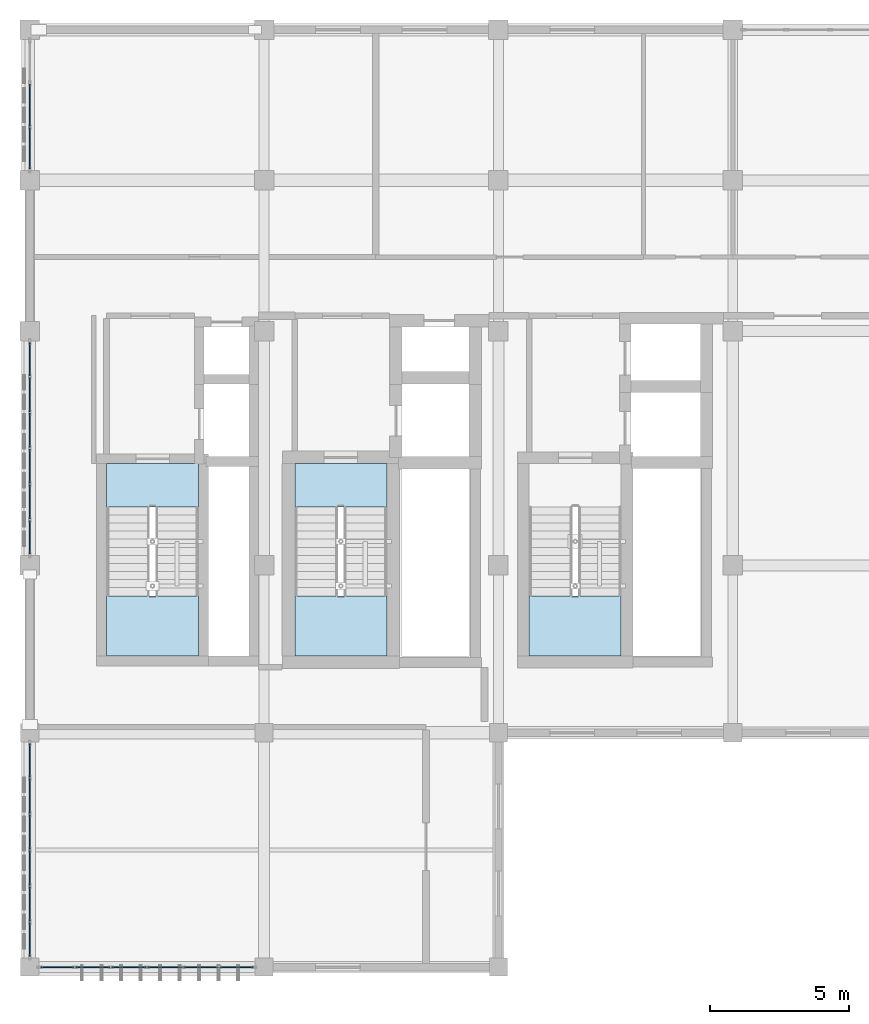
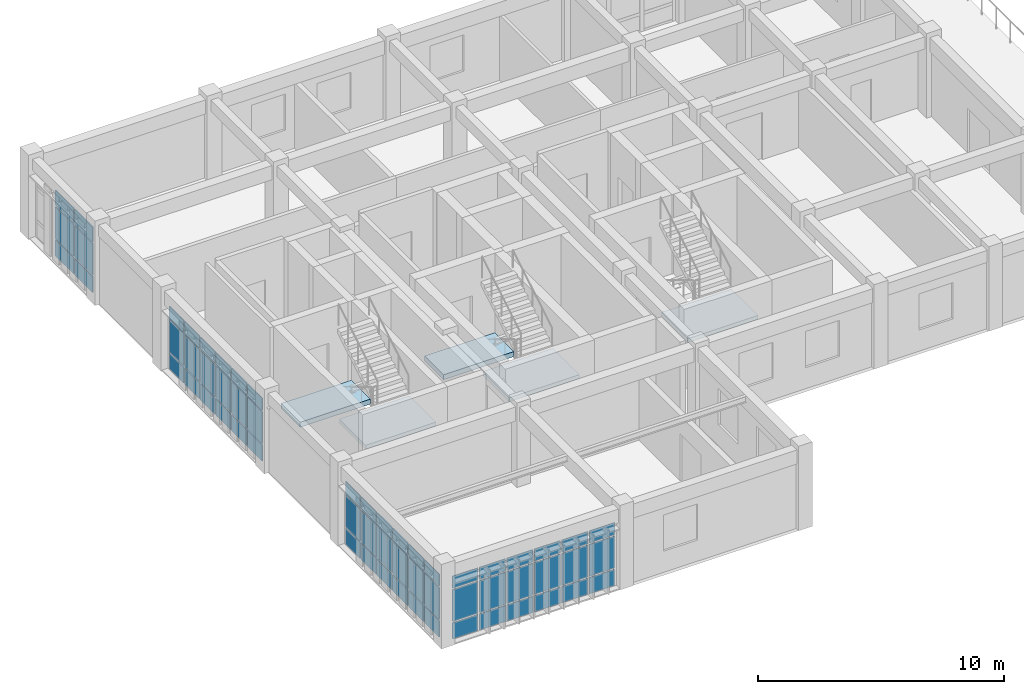
# One storey, part 17 of 23: 60 plates, 5 slabs, 7 elements without a shape of their own.
"""IFC4 building model written with IfcOpenShell, lengths in metres."""

from ifc_helpers import new_model, si_unit, direction, frame, origin, origin_2d, place, context, subcontext, project, spatial, polyline, rectangle, outline, extrude, material, layer, layer_set, type_object, element, aggregate, save


model = new_model("IFC4")

# Units and contexts
model_context = context("Model", 3, precision=1e-05, world=origin(), true_north=direction((0.0, 1.0)))
body_context = subcontext(model_context, "Body", "Model", "MODEL_VIEW")
ifc_project = project(units=[si_unit("LENGTHUNIT", "METRE"), si_unit("AREAUNIT", "SQUARE_METRE"), si_unit("VOLUMEUNIT", "CUBIC_METRE"), si_unit("PLANEANGLEUNIT", "RADIAN"), si_unit("MASSUNIT", "GRAM", prefix="KILO")], contexts=[model_context])

# Site, building, storey
site_placement = place(None, origin())
site = spatial("IfcSite", under=ifc_project, at=site_placement, CompositionType="ELEMENT")
building_placement = place(site_placement, origin())
building = spatial("IfcBuilding", under=site, at=building_placement, Name="Krzemoval Escarpment Law Courts", CompositionType="ELEMENT")
storey_placement = place(building_placement, frame((0.0, 0.0, 33.60009765625)))
storey = spatial("IfcBuildingStorey", under=building, at=storey_placement, Name="L07", CompositionType="ELEMENT", Elevation=33.60009765625)

# Curtain wall, plates
ifc_material_1 = material(Name="Aluminium 6063-T6", Category="aluminium")
ifc_layer_1 = layer(ifc_material_1, 0.219970703125)
ifc_layer_set_1 = layer_set([ifc_layer_1], Name="Aluminium 6063-T6")
curtain_wall_type = type_object("IfcCurtainWallType", Name="CW-CHMB-4200", PredefinedType="USERDEFINED", material=ifc_layer_set_1)
curtain_wall_1_placement = place(storey_placement, origin())
curtain_wall_1 = element("IfcCurtainWall", 1, at=curtain_wall_1_placement, inside=storey, type_object=curtain_wall_type, Name="Unitised Curtain Wall FCW-L07-154", ObjectType="UNITISED_CURTAIN_WALL", PredefinedType="USERDEFINED")
ifc_material_2 = material(Name="Triple Glazing IGU", Category="glass")
ifc_layer_2 = layer(ifc_material_2, 0.0419921875)
ifc_layer_set_2 = layer_set([ifc_layer_2], Name="Triple Glazing IGU")
plate_type = type_object("IfcPlateType", Name="CWP-GLZ-42", PredefinedType="CURTAIN_PANEL", material=ifc_layer_set_2)
plate_1_placement = place(storey_placement, frame((133.412841796875, 85.199951171875, 0.06494140625), z_axis=(0.0, 0.0, 1.0), x_axis=(-1.0, 0.0, 0.0)))
plate_1 = element("IfcPlate", 2, at=plate_1_placement, type_object=plate_type, Name="FCW-L07-154 panel 1.1", PredefinedType="CURTAIN_PANEL", context=body_context, shape_type="SweptSolid", body=[
    extrude(rectangle(XDim=1.194091796875, YDim=0.0419921875, at=origin_2d()), origin(), (0.0, 0.0, 1.0), 0.802490234375),
])
plate_2_placement = place(storey_placement, frame((133.412841796875, 85.199951171875, 0.932373046875), z_axis=(0.0, 0.0, 1.0), x_axis=(-1.0, 0.0, 0.0)))
plate_2 = element("IfcPlate", 3, at=plate_2_placement, type_object=plate_type, Name="FCW-L07-154 panel 1.2", PredefinedType="CURTAIN_PANEL", context=body_context, shape_type="SweptSolid", body=[
    extrude(rectangle(XDim=1.194091796875, YDim=0.0419921875, at=origin_2d()), origin(), (0.0, 0.0, 1.0), 1.5849609375),
])
plate_3_placement = place(storey_placement, frame((133.412841796875, 85.199951171875, 2.582275390625), z_axis=(0.0, 0.0, 1.0), x_axis=(-1.0, 0.0, 0.0)))
plate_3 = element("IfcPlate", 4, at=plate_3_placement, type_object=plate_type, Name="FCW-L07-154 panel 1.3", PredefinedType="CURTAIN_PANEL", context=body_context, shape_type="SweptSolid", body=[
    extrude(rectangle(XDim=1.194091796875, YDim=0.0419921875, at=origin_2d()), origin(), (0.0, 0.0, 1.0), 0.6025390625),
])
plate_4_placement = place(storey_placement, frame((132.137451171875, 85.199951171875, 0.06494140625), z_axis=(0.0, 0.0, 1.0), x_axis=(-1.0, 0.0, 0.0)))
plate_4 = element("IfcPlate", 5, at=plate_4_placement, type_object=plate_type, Name="FCW-L07-154 panel 2.1", PredefinedType="CURTAIN_PANEL", context=body_context, shape_type="SweptSolid", body=[
    extrude(rectangle(XDim=1.2265625, YDim=0.0419921875, at=origin_2d()), origin(), (0.0, 0.0, 1.0), 0.802490234375),
])
plate_5_placement = place(storey_placement, frame((132.137451171875, 85.199951171875, 0.932373046875), z_axis=(0.0, 0.0, 1.0), x_axis=(-1.0, 0.0, 0.0)))
plate_5 = element("IfcPlate", 6, at=plate_5_placement, type_object=plate_type, Name="FCW-L07-154 panel 2.2", PredefinedType="CURTAIN_PANEL", context=body_context, shape_type="SweptSolid", body=[
    extrude(rectangle(XDim=1.2265625, YDim=0.0419921875, at=origin_2d()), origin(), (0.0, 0.0, 1.0), 1.5849609375),
])
plate_6_placement = place(storey_placement, frame((132.137451171875, 85.199951171875, 2.582275390625), z_axis=(0.0, 0.0, 1.0), x_axis=(-1.0, 0.0, 0.0)))
plate_6 = element("IfcPlate", 7, at=plate_6_placement, type_object=plate_type, Name="FCW-L07-154 panel 2.3", PredefinedType="CURTAIN_PANEL", context=body_context, shape_type="SweptSolid", body=[
    extrude(rectangle(XDim=1.2265625, YDim=0.0419921875, at=origin_2d()), origin(), (0.0, 0.0, 1.0), 0.6025390625),
])
plate_7_placement = place(storey_placement, frame((130.845947265625, 85.199951171875, 0.06494140625), z_axis=(0.0, 0.0, 1.0), x_axis=(-1.0, 0.0, 0.0)))
plate_7 = element("IfcPlate", 8, at=plate_7_placement, type_object=plate_type, Name="FCW-L07-154 panel 3.1", PredefinedType="CURTAIN_PANEL", context=body_context, shape_type="SweptSolid", body=[
    extrude(rectangle(XDim=1.2265625, YDim=0.0419921875, at=origin_2d()), origin(), (0.0, 0.0, 1.0), 0.802490234375),
])
plate_8_placement = place(storey_placement, frame((130.845947265625, 85.199951171875, 0.932373046875), z_axis=(0.0, 0.0, 1.0), x_axis=(-1.0, 0.0, 0.0)))
plate_8 = element("IfcPlate", 9, at=plate_8_placement, type_object=plate_type, Name="FCW-L07-154 panel 3.2", PredefinedType="CURTAIN_PANEL", context=body_context, shape_type="SweptSolid", body=[
    extrude(rectangle(XDim=1.2265625, YDim=0.0419921875, at=origin_2d()), origin(), (0.0, 0.0, 1.0), 1.5849609375),
])
plate_9_placement = place(storey_placement, frame((130.845947265625, 85.199951171875, 2.582275390625), z_axis=(0.0, 0.0, 1.0), x_axis=(-1.0, 0.0, 0.0)))
plate_9 = element("IfcPlate", 10, at=plate_9_placement, type_object=plate_type, Name="FCW-L07-154 panel 3.3", PredefinedType="CURTAIN_PANEL", context=body_context, shape_type="SweptSolid", body=[
    extrude(rectangle(XDim=1.2265625, YDim=0.0419921875, at=origin_2d()), origin(), (0.0, 0.0, 1.0), 0.6025390625),
])
plate_10_placement = place(storey_placement, frame((129.55419921875, 85.199951171875, 0.06494140625), z_axis=(0.0, 0.0, 1.0), x_axis=(-1.0, 0.0, 0.0)))
plate_10 = element("IfcPlate", 11, at=plate_10_placement, type_object=plate_type, Name="FCW-L07-154 panel 4.1", PredefinedType="CURTAIN_PANEL", context=body_context, shape_type="SweptSolid", body=[
    extrude(rectangle(XDim=1.2265625, YDim=0.0419921875, at=origin_2d()), origin(), (0.0, 0.0, 1.0), 0.802490234375),
])
plate_11_placement = place(storey_placement, frame((129.55419921875, 85.199951171875, 0.932373046875), z_axis=(0.0, 0.0, 1.0), x_axis=(-1.0, 0.0, 0.0)))
plate_11 = element("IfcPlate", 12, at=plate_11_placement, type_object=plate_type, Name="FCW-L07-154 panel 4.2", PredefinedType="CURTAIN_PANEL", context=body_context, shape_type="SweptSolid", body=[
    extrude(rectangle(XDim=1.2265625, YDim=0.0419921875, at=origin_2d()), origin(), (0.0, 0.0, 1.0), 1.5849609375),
])
plate_12_placement = place(storey_placement, frame((129.55419921875, 85.199951171875, 2.582275390625), z_axis=(0.0, 0.0, 1.0), x_axis=(-1.0, 0.0, 0.0)))
plate_12 = element("IfcPlate", 13, at=plate_12_placement, type_object=plate_type, Name="FCW-L07-154 panel 4.3", PredefinedType="CURTAIN_PANEL", context=body_context, shape_type="SweptSolid", body=[
    extrude(rectangle(XDim=1.2265625, YDim=0.0419921875, at=origin_2d()), origin(), (0.0, 0.0, 1.0), 0.6025390625),
])
plate_13_placement = place(storey_placement, frame((128.262451171875, 85.199951171875, 0.06494140625), z_axis=(0.0, 0.0, 1.0), x_axis=(-1.0, 0.0, 0.0)))
plate_13 = element("IfcPlate", 14, at=plate_13_placement, type_object=plate_type, Name="FCW-L07-154 panel 5.1", PredefinedType="CURTAIN_PANEL", context=body_context, shape_type="SweptSolid", body=[
    extrude(rectangle(XDim=1.2265625, YDim=0.0419921875, at=origin_2d()), origin(), (0.0, 0.0, 1.0), 0.802490234375),
])
plate_14_placement = place(storey_placement, frame((128.262451171875, 85.199951171875, 0.932373046875), z_axis=(0.0, 0.0, 1.0), x_axis=(-1.0, 0.0, 0.0)))
plate_14 = element("IfcPlate", 15, at=plate_14_placement, type_object=plate_type, Name="FCW-L07-154 panel 5.2", PredefinedType="CURTAIN_PANEL", context=body_context, shape_type="SweptSolid", body=[
    extrude(rectangle(XDim=1.2265625, YDim=0.0419921875, at=origin_2d()), origin(), (0.0, 0.0, 1.0), 1.5849609375),
])
plate_15_placement = place(storey_placement, frame((128.262451171875, 85.199951171875, 2.582275390625), z_axis=(0.0, 0.0, 1.0), x_axis=(-1.0, 0.0, 0.0)))
plate_15 = element("IfcPlate", 16, at=plate_15_placement, type_object=plate_type, Name="FCW-L07-154 panel 5.3", PredefinedType="CURTAIN_PANEL", context=body_context, shape_type="SweptSolid", body=[
    extrude(rectangle(XDim=1.2265625, YDim=0.0419921875, at=origin_2d()), origin(), (0.0, 0.0, 1.0), 0.6025390625),
])
plate_16_placement = place(storey_placement, frame((126.987060546875, 85.199951171875, 0.06494140625), z_axis=(0.0, 0.0, 1.0), x_axis=(-1.0, 0.0, 0.0)))
plate_16 = element("IfcPlate", 17, at=plate_16_placement, type_object=plate_type, Name="FCW-L07-154 panel 6.1", PredefinedType="CURTAIN_PANEL", context=body_context, shape_type="SweptSolid", body=[
    extrude(rectangle(XDim=1.194091796875, YDim=0.0419921875, at=origin_2d()), origin(), (0.0, 0.0, 1.0), 0.802490234375),
])
plate_17_placement = place(storey_placement, frame((126.987060546875, 85.199951171875, 0.932373046875), z_axis=(0.0, 0.0, 1.0), x_axis=(-1.0, 0.0, 0.0)))
plate_17 = element("IfcPlate", 18, at=plate_17_placement, type_object=plate_type, Name="FCW-L07-154 panel 6.2", PredefinedType="CURTAIN_PANEL", context=body_context, shape_type="SweptSolid", body=[
    extrude(rectangle(XDim=1.194091796875, YDim=0.0419921875, at=origin_2d()), origin(), (0.0, 0.0, 1.0), 1.5849609375),
])
plate_18_placement = place(storey_placement, frame((126.987060546875, 85.199951171875, 2.582275390625), z_axis=(0.0, 0.0, 1.0), x_axis=(-1.0, 0.0, 0.0)))
plate_18 = element("IfcPlate", 19, at=plate_18_placement, type_object=plate_type, Name="FCW-L07-154 panel 6.3", PredefinedType="CURTAIN_PANEL", context=body_context, shape_type="SweptSolid", body=[
    extrude(rectangle(XDim=1.194091796875, YDim=0.0419921875, at=origin_2d()), origin(), (0.0, 0.0, 1.0), 0.6025390625),
])
aggregate(curtain_wall_1, [plate_1, plate_2, plate_3, plate_4, plate_5, plate_6, plate_7, plate_8, plate_9, plate_10, plate_11, plate_12, plate_13, plate_14, plate_15, plate_16, plate_17, plate_18])

curtain_wall_2_placement = place(storey_placement, origin())
curtain_wall_2 = element("IfcCurtainWall", 20, at=curtain_wall_2_placement, inside=storey, type_object=curtain_wall_type, Name="Unitised Curtain Wall FCW-L07-155", ObjectType="UNITISED_CURTAIN_WALL", PredefinedType="USERDEFINED")
plate_19_placement = place(storey_placement, frame((126.0, 86.18701171875, 0.06494140625), z_axis=(0.0, 0.0, 1.0), x_axis=(0.0, 1.0, 0.0)))
plate_19 = element("IfcPlate", 21, at=plate_19_placement, type_object=plate_type, Name="FCW-L07-155 panel 1.1", PredefinedType="CURTAIN_PANEL", context=body_context, shape_type="SweptSolid", body=[
    extrude(rectangle(XDim=1.194091796875, YDim=0.0419921875, at=origin_2d()), origin(), (0.0, 0.0, 1.0), 0.802490234375),
])
plate_20_placement = place(storey_placement, frame((126.0, 86.18701171875, 0.932373046875), z_axis=(0.0, 0.0, 1.0), x_axis=(0.0, 1.0, 0.0)))
plate_20 = element("IfcPlate", 22, at=plate_20_placement, type_object=plate_type, Name="FCW-L07-155 panel 1.2", PredefinedType="CURTAIN_PANEL", context=body_context, shape_type="SweptSolid", body=[
    extrude(rectangle(XDim=1.194091796875, YDim=0.0419921875, at=origin_2d()), origin(), (0.0, 0.0, 1.0), 1.5849609375),
])
plate_21_placement = place(storey_placement, frame((126.0, 86.18701171875, 2.582275390625), z_axis=(0.0, 0.0, 1.0), x_axis=(0.0, 1.0, 0.0)))
plate_21 = element("IfcPlate", 23, at=plate_21_placement, type_object=plate_type, Name="FCW-L07-155 panel 1.3", PredefinedType="CURTAIN_PANEL", context=body_context, shape_type="SweptSolid", body=[
    extrude(rectangle(XDim=1.194091796875, YDim=0.0419921875, at=origin_2d()), origin(), (0.0, 0.0, 1.0), 0.6025390625),
])
plate_22_placement = place(storey_placement, frame((126.0, 87.46240234375, 0.06494140625), z_axis=(0.0, 0.0, 1.0), x_axis=(0.0, 1.0, 0.0)))
plate_22 = element("IfcPlate", 24, at=plate_22_placement, type_object=plate_type, Name="FCW-L07-155 panel 2.1", PredefinedType="CURTAIN_PANEL", context=body_context, shape_type="SweptSolid", body=[
    extrude(rectangle(XDim=1.2265625, YDim=0.0419921875, at=origin_2d()), origin(), (0.0, 0.0, 1.0), 0.802490234375),
])
plate_23_placement = place(storey_placement, frame((126.0, 87.46240234375, 0.932373046875), z_axis=(0.0, 0.0, 1.0), x_axis=(0.0, 1.0, 0.0)))
plate_23 = element("IfcPlate", 25, at=plate_23_placement, type_object=plate_type, Name="FCW-L07-155 panel 2.2", PredefinedType="CURTAIN_PANEL", context=body_context, shape_type="SweptSolid", body=[
    extrude(rectangle(XDim=1.2265625, YDim=0.0419921875, at=origin_2d()), origin(), (0.0, 0.0, 1.0), 1.5849609375),
])
plate_24_placement = place(storey_placement, frame((126.0, 87.46240234375, 2.582275390625), z_axis=(0.0, 0.0, 1.0), x_axis=(0.0, 1.0, 0.0)))
plate_24 = element("IfcPlate", 26, at=plate_24_placement, type_object=plate_type, Name="FCW-L07-155 panel 2.3", PredefinedType="CURTAIN_PANEL", context=body_context, shape_type="SweptSolid", body=[
    extrude(rectangle(XDim=1.2265625, YDim=0.0419921875, at=origin_2d()), origin(), (0.0, 0.0, 1.0), 0.6025390625),
])
plate_25_placement = place(storey_placement, frame((126.0, 88.754150390625, 0.06494140625), z_axis=(0.0, 0.0, 1.0), x_axis=(0.0, 1.0, 0.0)))
plate_25 = element("IfcPlate", 27, at=plate_25_placement, type_object=plate_type, Name="FCW-L07-155 panel 3.1", PredefinedType="CURTAIN_PANEL", context=body_context, shape_type="SweptSolid", body=[
    extrude(rectangle(XDim=1.2265625, YDim=0.0419921875, at=origin_2d()), origin(), (0.0, 0.0, 1.0), 0.802490234375),
])
plate_26_placement = place(storey_placement, frame((126.0, 88.754150390625, 0.932373046875), z_axis=(0.0, 0.0, 1.0), x_axis=(0.0, 1.0, 0.0)))
plate_26 = element("IfcPlate", 28, at=plate_26_placement, type_object=plate_type, Name="FCW-L07-155 panel 3.2", PredefinedType="CURTAIN_PANEL", context=body_context, shape_type="SweptSolid", body=[
    extrude(rectangle(XDim=1.2265625, YDim=0.0419921875, at=origin_2d()), origin(), (0.0, 0.0, 1.0), 1.5849609375),
])
plate_27_placement = place(storey_placement, frame((126.0, 88.754150390625, 2.582275390625), z_axis=(0.0, 0.0, 1.0), x_axis=(0.0, 1.0, 0.0)))
plate_27 = element("IfcPlate", 29, at=plate_27_placement, type_object=plate_type, Name="FCW-L07-155 panel 3.3", PredefinedType="CURTAIN_PANEL", context=body_context, shape_type="SweptSolid", body=[
    extrude(rectangle(XDim=1.2265625, YDim=0.0419921875, at=origin_2d()), origin(), (0.0, 0.0, 1.0), 0.6025390625),
])
plate_28_placement = place(storey_placement, frame((126.0, 90.0458984375, 0.06494140625), z_axis=(0.0, 0.0, 1.0), x_axis=(0.0, 1.0, 0.0)))
plate_28 = element("IfcPlate", 30, at=plate_28_placement, type_object=plate_type, Name="FCW-L07-155 panel 4.1", PredefinedType="CURTAIN_PANEL", context=body_context, shape_type="SweptSolid", body=[
    extrude(rectangle(XDim=1.2265625, YDim=0.0419921875, at=origin_2d()), origin(), (0.0, 0.0, 1.0), 0.802490234375),
])
plate_29_placement = place(storey_placement, frame((126.0, 90.0458984375, 0.932373046875), z_axis=(0.0, 0.0, 1.0), x_axis=(0.0, 1.0, 0.0)))
plate_29 = element("IfcPlate", 31, at=plate_29_placement, type_object=plate_type, Name="FCW-L07-155 panel 4.2", PredefinedType="CURTAIN_PANEL", context=body_context, shape_type="SweptSolid", body=[
    extrude(rectangle(XDim=1.2265625, YDim=0.0419921875, at=origin_2d()), origin(), (0.0, 0.0, 1.0), 1.5849609375),
])
plate_30_placement = place(storey_placement, frame((126.0, 90.0458984375, 2.582275390625), z_axis=(0.0, 0.0, 1.0), x_axis=(0.0, 1.0, 0.0)))
plate_30 = element("IfcPlate", 32, at=plate_30_placement, type_object=plate_type, Name="FCW-L07-155 panel 4.3", PredefinedType="CURTAIN_PANEL", context=body_context, shape_type="SweptSolid", body=[
    extrude(rectangle(XDim=1.2265625, YDim=0.0419921875, at=origin_2d()), origin(), (0.0, 0.0, 1.0), 0.6025390625),
])
plate_31_placement = place(storey_placement, frame((126.0, 91.33740234375, 0.06494140625), z_axis=(0.0, 0.0, 1.0), x_axis=(0.0, 1.0, 0.0)))
plate_31 = element("IfcPlate", 33, at=plate_31_placement, type_object=plate_type, Name="FCW-L07-155 panel 5.1", PredefinedType="CURTAIN_PANEL", context=body_context, shape_type="SweptSolid", body=[
    extrude(rectangle(XDim=1.2265625, YDim=0.0419921875, at=origin_2d()), origin(), (0.0, 0.0, 1.0), 0.802490234375),
])
plate_32_placement = place(storey_placement, frame((126.0, 91.33740234375, 0.932373046875), z_axis=(0.0, 0.0, 1.0), x_axis=(0.0, 1.0, 0.0)))
plate_32 = element("IfcPlate", 34, at=plate_32_placement, type_object=plate_type, Name="FCW-L07-155 panel 5.2", PredefinedType="CURTAIN_PANEL", context=body_context, shape_type="SweptSolid", body=[
    extrude(rectangle(XDim=1.2265625, YDim=0.0419921875, at=origin_2d()), origin(), (0.0, 0.0, 1.0), 1.5849609375),
])
plate_33_placement = place(storey_placement, frame((126.0, 91.33740234375, 2.582275390625), z_axis=(0.0, 0.0, 1.0), x_axis=(0.0, 1.0, 0.0)))
plate_33 = element("IfcPlate", 35, at=plate_33_placement, type_object=plate_type, Name="FCW-L07-155 panel 5.3", PredefinedType="CURTAIN_PANEL", context=body_context, shape_type="SweptSolid", body=[
    extrude(rectangle(XDim=1.2265625, YDim=0.0419921875, at=origin_2d()), origin(), (0.0, 0.0, 1.0), 0.6025390625),
])
plate_34_placement = place(storey_placement, frame((126.0, 92.613037109375, 0.06494140625), z_axis=(0.0, 0.0, 1.0), x_axis=(0.0, 1.0, 0.0)))
plate_34 = element("IfcPlate", 36, at=plate_34_placement, type_object=plate_type, Name="FCW-L07-155 panel 6.1", PredefinedType="CURTAIN_PANEL", context=body_context, shape_type="SweptSolid", body=[
    extrude(rectangle(XDim=1.194091796875, YDim=0.0419921875, at=origin_2d()), origin(), (0.0, 0.0, 1.0), 0.802490234375),
])
plate_35_placement = place(storey_placement, frame((126.0, 92.613037109375, 0.932373046875), z_axis=(0.0, 0.0, 1.0), x_axis=(0.0, 1.0, 0.0)))
plate_35 = element("IfcPlate", 37, at=plate_35_placement, type_object=plate_type, Name="FCW-L07-155 panel 6.2", PredefinedType="CURTAIN_PANEL", context=body_context, shape_type="SweptSolid", body=[
    extrude(rectangle(XDim=1.194091796875, YDim=0.0419921875, at=origin_2d()), origin(), (0.0, 0.0, 1.0), 1.5849609375),
])
plate_36_placement = place(storey_placement, frame((126.0, 92.613037109375, 2.582275390625), z_axis=(0.0, 0.0, 1.0), x_axis=(0.0, 1.0, 0.0)))
plate_36 = element("IfcPlate", 38, at=plate_36_placement, type_object=plate_type, Name="FCW-L07-155 panel 6.3", PredefinedType="CURTAIN_PANEL", context=body_context, shape_type="SweptSolid", body=[
    extrude(rectangle(XDim=1.194091796875, YDim=0.0419921875, at=origin_2d()), origin(), (0.0, 0.0, 1.0), 0.6025390625),
])
aggregate(curtain_wall_2, [plate_19, plate_20, plate_21, plate_22, plate_23, plate_24, plate_25, plate_26, plate_27, plate_28, plate_29, plate_30, plate_31, plate_32, plate_33, plate_34, plate_35, plate_36])

curtain_wall_3_placement = place(storey_placement, origin())
curtain_wall_3 = element("IfcCurtainWall", 39, at=curtain_wall_3_placement, inside=storey, type_object=curtain_wall_type, Name="Unitised Curtain Wall FCW-L07-156", ObjectType="UNITISED_CURTAIN_WALL", PredefinedType="USERDEFINED")
plate_37_placement = place(storey_placement, frame((126.0, 100.60791015625, 0.06494140625), z_axis=(0.0, 0.0, 1.0), x_axis=(0.0, 1.0, 0.0)))
plate_37 = element("IfcPlate", 40, at=plate_37_placement, type_object=plate_type, Name="FCW-L07-156 panel 1.1", PredefinedType="CURTAIN_PANEL", context=body_context, shape_type="SweptSolid", body=[
    extrude(rectangle(XDim=1.185791015625, YDim=0.0419921875, at=origin_2d()), origin(), (0.0, 0.0, 1.0), 0.802490234375),
])
plate_38_placement = place(storey_placement, frame((126.0, 100.60791015625, 0.932373046875), z_axis=(0.0, 0.0, 1.0), x_axis=(0.0, 1.0, 0.0)))
plate_38 = element("IfcPlate", 41, at=plate_38_placement, type_object=plate_type, Name="FCW-L07-156 panel 1.2", PredefinedType="CURTAIN_PANEL", context=body_context, shape_type="SweptSolid", body=[
    extrude(rectangle(XDim=1.185791015625, YDim=0.0419921875, at=origin_2d()), origin(), (0.0, 0.0, 1.0), 1.5849609375),
])
plate_39_placement = place(storey_placement, frame((126.0, 100.60791015625, 2.582275390625), z_axis=(0.0, 0.0, 1.0), x_axis=(0.0, 1.0, 0.0)))
plate_39 = element("IfcPlate", 42, at=plate_39_placement, type_object=plate_type, Name="FCW-L07-156 panel 1.3", PredefinedType="CURTAIN_PANEL", context=body_context, shape_type="SweptSolid", body=[
    extrude(rectangle(XDim=1.185791015625, YDim=0.0419921875, at=origin_2d()), origin(), (0.0, 0.0, 1.0), 0.6025390625),
])
plate_40_placement = place(storey_placement, frame((126.0, 101.875, 0.06494140625), z_axis=(0.0, 0.0, 1.0), x_axis=(0.0, 1.0, 0.0)))
plate_40 = element("IfcPlate", 43, at=plate_40_placement, type_object=plate_type, Name="FCW-L07-156 panel 2.1", PredefinedType="CURTAIN_PANEL", context=body_context, shape_type="SweptSolid", body=[
    extrude(rectangle(XDim=1.21826171875, YDim=0.0419921875, at=origin_2d()), origin(), (0.0, 0.0, 1.0), 0.802490234375),
])
plate_41_placement = place(storey_placement, frame((126.0, 101.875, 0.932373046875), z_axis=(0.0, 0.0, 1.0), x_axis=(0.0, 1.0, 0.0)))
plate_41 = element("IfcPlate", 44, at=plate_41_placement, type_object=plate_type, Name="FCW-L07-156 panel 2.2", PredefinedType="CURTAIN_PANEL", context=body_context, shape_type="SweptSolid", body=[
    extrude(rectangle(XDim=1.21826171875, YDim=0.0419921875, at=origin_2d()), origin(), (0.0, 0.0, 1.0), 1.5849609375),
])
plate_42_placement = place(storey_placement, frame((126.0, 101.875, 2.582275390625), z_axis=(0.0, 0.0, 1.0), x_axis=(0.0, 1.0, 0.0)))
plate_42 = element("IfcPlate", 45, at=plate_42_placement, type_object=plate_type, Name="FCW-L07-156 panel 2.3", PredefinedType="CURTAIN_PANEL", context=body_context, shape_type="SweptSolid", body=[
    extrude(rectangle(XDim=1.21826171875, YDim=0.0419921875, at=origin_2d()), origin(), (0.0, 0.0, 1.0), 0.6025390625),
])
plate_43_placement = place(storey_placement, frame((126.0, 103.158447265625, 0.06494140625), z_axis=(0.0, 0.0, 1.0), x_axis=(0.0, 1.0, 0.0)))
plate_43 = element("IfcPlate", 46, at=plate_43_placement, type_object=plate_type, Name="FCW-L07-156 panel 3.1", PredefinedType="CURTAIN_PANEL", context=body_context, shape_type="SweptSolid", body=[
    extrude(rectangle(XDim=1.21826171875, YDim=0.0419921875, at=origin_2d()), origin(), (0.0, 0.0, 1.0), 0.802490234375),
])
plate_44_placement = place(storey_placement, frame((126.0, 103.158447265625, 0.932373046875), z_axis=(0.0, 0.0, 1.0), x_axis=(0.0, 1.0, 0.0)))
plate_44 = element("IfcPlate", 47, at=plate_44_placement, type_object=plate_type, Name="FCW-L07-156 panel 3.2", PredefinedType="CURTAIN_PANEL", context=body_context, shape_type="SweptSolid", body=[
    extrude(rectangle(XDim=1.21826171875, YDim=0.0419921875, at=origin_2d()), origin(), (0.0, 0.0, 1.0), 1.5849609375),
])
plate_45_placement = place(storey_placement, frame((126.0, 103.158447265625, 2.582275390625), z_axis=(0.0, 0.0, 1.0), x_axis=(0.0, 1.0, 0.0)))
plate_45 = element("IfcPlate", 48, at=plate_45_placement, type_object=plate_type, Name="FCW-L07-156 panel 3.3", PredefinedType="CURTAIN_PANEL", context=body_context, shape_type="SweptSolid", body=[
    extrude(rectangle(XDim=1.21826171875, YDim=0.0419921875, at=origin_2d()), origin(), (0.0, 0.0, 1.0), 0.6025390625),
])
plate_46_placement = place(storey_placement, frame((126.0, 104.441650390625, 0.06494140625), z_axis=(0.0, 0.0, 1.0), x_axis=(0.0, 1.0, 0.0)))
plate_46 = element("IfcPlate", 49, at=plate_46_placement, type_object=plate_type, Name="FCW-L07-156 panel 4.1", PredefinedType="CURTAIN_PANEL", context=body_context, shape_type="SweptSolid", body=[
    extrude(rectangle(XDim=1.21826171875, YDim=0.0419921875, at=origin_2d()), origin(), (0.0, 0.0, 1.0), 0.802490234375),
])
plate_47_placement = place(storey_placement, frame((126.0, 104.441650390625, 0.932373046875), z_axis=(0.0, 0.0, 1.0), x_axis=(0.0, 1.0, 0.0)))
plate_47 = element("IfcPlate", 50, at=plate_47_placement, type_object=plate_type, Name="FCW-L07-156 panel 4.2", PredefinedType="CURTAIN_PANEL", context=body_context, shape_type="SweptSolid", body=[
    extrude(rectangle(XDim=1.21826171875, YDim=0.0419921875, at=origin_2d()), origin(), (0.0, 0.0, 1.0), 1.5849609375),
])
plate_48_placement = place(storey_placement, frame((126.0, 104.441650390625, 2.582275390625), z_axis=(0.0, 0.0, 1.0), x_axis=(0.0, 1.0, 0.0)))
plate_48 = element("IfcPlate", 51, at=plate_48_placement, type_object=plate_type, Name="FCW-L07-156 panel 4.3", PredefinedType="CURTAIN_PANEL", context=body_context, shape_type="SweptSolid", body=[
    extrude(rectangle(XDim=1.21826171875, YDim=0.0419921875, at=origin_2d()), origin(), (0.0, 0.0, 1.0), 0.6025390625),
])
plate_49_placement = place(storey_placement, frame((126.0, 105.72509765625, 0.06494140625), z_axis=(0.0, 0.0, 1.0), x_axis=(0.0, 1.0, 0.0)))
plate_49 = element("IfcPlate", 52, at=plate_49_placement, type_object=plate_type, Name="FCW-L07-156 panel 5.1", PredefinedType="CURTAIN_PANEL", context=body_context, shape_type="SweptSolid", body=[
    extrude(rectangle(XDim=1.21826171875, YDim=0.0419921875, at=origin_2d()), origin(), (0.0, 0.0, 1.0), 0.802490234375),
])
plate_50_placement = place(storey_placement, frame((126.0, 105.72509765625, 0.932373046875), z_axis=(0.0, 0.0, 1.0), x_axis=(0.0, 1.0, 0.0)))
plate_50 = element("IfcPlate", 53, at=plate_50_placement, type_object=plate_type, Name="FCW-L07-156 panel 5.2", PredefinedType="CURTAIN_PANEL", context=body_context, shape_type="SweptSolid", body=[
    extrude(rectangle(XDim=1.21826171875, YDim=0.0419921875, at=origin_2d()), origin(), (0.0, 0.0, 1.0), 1.5849609375),
])
plate_51_placement = place(storey_placement, frame((126.0, 105.72509765625, 2.582275390625), z_axis=(0.0, 0.0, 1.0), x_axis=(0.0, 1.0, 0.0)))
plate_51 = element("IfcPlate", 54, at=plate_51_placement, type_object=plate_type, Name="FCW-L07-156 panel 5.3", PredefinedType="CURTAIN_PANEL", context=body_context, shape_type="SweptSolid", body=[
    extrude(rectangle(XDim=1.21826171875, YDim=0.0419921875, at=origin_2d()), origin(), (0.0, 0.0, 1.0), 0.6025390625),
])
plate_52_placement = place(storey_placement, frame((126.0, 106.9921875, 0.06494140625), z_axis=(0.0, 0.0, 1.0), x_axis=(0.0, 1.0, 0.0)))
plate_52 = element("IfcPlate", 55, at=plate_52_placement, type_object=plate_type, Name="FCW-L07-156 panel 6.1", PredefinedType="CURTAIN_PANEL", context=body_context, shape_type="SweptSolid", body=[
    extrude(rectangle(XDim=1.185791015625, YDim=0.0419921875, at=origin_2d()), origin(), (0.0, 0.0, 1.0), 0.802490234375),
])
plate_53_placement = place(storey_placement, frame((126.0, 106.9921875, 0.932373046875), z_axis=(0.0, 0.0, 1.0), x_axis=(0.0, 1.0, 0.0)))
plate_53 = element("IfcPlate", 56, at=plate_53_placement, type_object=plate_type, Name="FCW-L07-156 panel 6.2", PredefinedType="CURTAIN_PANEL", context=body_context, shape_type="SweptSolid", body=[
    extrude(rectangle(XDim=1.185791015625, YDim=0.0419921875, at=origin_2d()), origin(), (0.0, 0.0, 1.0), 1.5849609375),
])
plate_54_placement = place(storey_placement, frame((126.0, 106.9921875, 2.582275390625), z_axis=(0.0, 0.0, 1.0), x_axis=(0.0, 1.0, 0.0)))
plate_54 = element("IfcPlate", 57, at=plate_54_placement, type_object=plate_type, Name="FCW-L07-156 panel 6.3", PredefinedType="CURTAIN_PANEL", context=body_context, shape_type="SweptSolid", body=[
    extrude(rectangle(XDim=1.185791015625, YDim=0.0419921875, at=origin_2d()), origin(), (0.0, 0.0, 1.0), 0.6025390625),
])
aggregate(curtain_wall_3, [plate_37, plate_38, plate_39, plate_40, plate_41, plate_42, plate_43, plate_44, plate_45, plate_46, plate_47, plate_48, plate_49, plate_50, plate_51, plate_52, plate_53, plate_54])

curtain_wall_4_placement = place(storey_placement, origin())
curtain_wall_4 = element("IfcCurtainWall", 58, at=curtain_wall_4_placement, inside=storey, type_object=curtain_wall_type, Name="Unitised Curtain Wall FCW-L07-157", ObjectType="UNITISED_CURTAIN_WALL", PredefinedType="USERDEFINED")
plate_55_placement = place(storey_placement, frame((126.0, 114.549560546875, 0.06494140625), z_axis=(0.0, 0.0, 1.0), x_axis=(0.0, 1.0, 0.0)))
plate_55 = element("IfcPlate", 59, at=plate_55_placement, type_object=plate_type, Name="FCW-L07-157 panel 1.1", PredefinedType="CURTAIN_PANEL", context=body_context, shape_type="SweptSolid", body=[
    extrude(rectangle(XDim=1.46923828125, YDim=0.0419921875, at=origin_2d()), origin(), (0.0, 0.0, 1.0), 0.802490234375),
])
plate_56_placement = place(storey_placement, frame((126.0, 114.549560546875, 0.932373046875), z_axis=(0.0, 0.0, 1.0), x_axis=(0.0, 1.0, 0.0)))
plate_56 = element("IfcPlate", 60, at=plate_56_placement, type_object=plate_type, Name="FCW-L07-157 panel 1.2", PredefinedType="CURTAIN_PANEL", context=body_context, shape_type="SweptSolid", body=[
    extrude(rectangle(XDim=1.46923828125, YDim=0.0419921875, at=origin_2d()), origin(), (0.0, 0.0, 1.0), 1.5849609375),
])
plate_57_placement = place(storey_placement, frame((126.0, 114.549560546875, 2.58251953125), z_axis=(0.0, 0.0, 1.0), x_axis=(0.0, 1.0, 0.0)))
plate_57 = element("IfcPlate", 61, at=plate_57_placement, type_object=plate_type, Name="FCW-L07-157 panel 1.3", PredefinedType="CURTAIN_PANEL", context=body_context, shape_type="SweptSolid", body=[
    extrude(rectangle(XDim=1.46923828125, YDim=0.0419921875, at=origin_2d()), origin(), (0.0, 0.0, 1.0), 0.75244140625),
])
plate_58_placement = place(storey_placement, frame((126.0, 116.10009765625, 0.06494140625), z_axis=(0.0, 0.0, 1.0), x_axis=(0.0, 1.0, 0.0)))
plate_58 = element("IfcPlate", 62, at=plate_58_placement, type_object=plate_type, Name="FCW-L07-157 panel 2.1", PredefinedType="CURTAIN_PANEL", context=body_context, shape_type="SweptSolid", body=[
    extrude(rectangle(XDim=1.501708984375, YDim=0.0419921875, at=origin_2d()), origin(), (0.0, 0.0, 1.0), 0.802490234375),
])
plate_59_placement = place(storey_placement, frame((126.0, 116.10009765625, 0.932373046875), z_axis=(0.0, 0.0, 1.0), x_axis=(0.0, 1.0, 0.0)))
plate_59 = element("IfcPlate", 63, at=plate_59_placement, type_object=plate_type, Name="FCW-L07-157 panel 2.2", PredefinedType="CURTAIN_PANEL", context=body_context, shape_type="SweptSolid", body=[
    extrude(rectangle(XDim=1.501708984375, YDim=0.0419921875, at=origin_2d()), origin(), (0.0, 0.0, 1.0), 1.5849609375),
])
plate_60_placement = place(storey_placement, frame((126.0, 116.10009765625, 2.58251953125), z_axis=(0.0, 0.0, 1.0), x_axis=(0.0, 1.0, 0.0)))
plate_60 = element("IfcPlate", 64, at=plate_60_placement, type_object=plate_type, Name="FCW-L07-157 panel 2.3", PredefinedType="CURTAIN_PANEL", context=body_context, shape_type="SweptSolid", body=[
    extrude(rectangle(XDim=1.501708984375, YDim=0.0419921875, at=origin_2d()), origin(), (0.0, 0.0, 1.0), 0.75244140625),
])
aggregate(curtain_wall_4, [plate_55, plate_56, plate_57, plate_58, plate_59, plate_60])

# Slabs
ifc_material_3 = material(Name="Concrete C40/50", Category="concrete")
ifc_layer_3 = layer(ifc_material_3, 0.25)
ifc_layer_set_3 = layer_set([ifc_layer_3], Name="Concrete C40/50")
slab_type_1 = type_object("IfcSlabType", Name="SL-FLR-250", PredefinedType="FLOOR", material=ifc_layer_set_3)
slab_1_placement = place(storey_placement, frame((0.0, 0.0, -0.25)))
element("IfcSlab", 65, at=slab_1_placement, inside=storey, type_object=slab_type_1, Name="Core Floor Landing Slab SL-ST1-L07-FL", PredefinedType="FLOOR", context=body_context, shape_type="SweptSolid", body=[
    extrude(outline(polyline([(128.75, 103.25), (128.75, 101.699951171875), (132.050048828125, 101.699951171875), (132.050048828125, 103.25), (128.75, 103.25)])), origin(), (0.0, 0.0, 1.0), 0.25),
])
slab_2_placement = place(storey_placement, frame((0.0, 0.0, -0.25)))
element("IfcSlab", 66, at=slab_2_placement, inside=storey, type_object=slab_type_1, Name="Core Floor Landing Slab SL-ST2-L07-FL", PredefinedType="FLOOR", context=body_context, shape_type="SweptSolid", body=[
    extrude(outline(polyline([(135.5, 103.25), (135.5, 101.699951171875), (138.800048828125, 101.699951171875), (138.800048828125, 103.25), (135.5, 103.25)])), origin(), (0.0, 0.0, 1.0), 0.25),
])

# Stair, slab
ifc_material_4 = material(Name="Concrete C40/50", Category="concrete")
stair_type = type_object("IfcStairType", Name="STR-CORE-1550", PredefinedType="HALF_TURN_STAIR", material=ifc_material_4)
stair_1_placement = place(storey_placement, origin())
stair_1 = element("IfcStair", 67, at=stair_1_placement, inside=storey, type_object=stair_type, Name="L07 ST1", PredefinedType="HALF_TURN_STAIR")
ifc_material_5 = material(Name="Concrete C40/50", Category="concrete")
ifc_layer_4 = layer(ifc_material_5, 0.199951171875)
ifc_layer_set_4 = layer_set([ifc_layer_4], Name="Concrete C40/50")
slab_type_2 = type_object("IfcSlabType", Name="SL-LND-200", PredefinedType="LANDING", material=ifc_layer_set_4)
slab_3_placement = place(storey_placement, frame((0.0, 0.0, 1.89990234375)))
slab_3 = element("IfcSlab", 68, at=slab_3_placement, type_object=slab_type_2, Name="ST1 landing 1", PredefinedType="LANDING", context=body_context, shape_type="SweptSolid", body=[
    extrude(outline(polyline([(128.75, 98.510009765625), (128.75, 96.35009765625), (132.050048828125, 96.35009765625), (132.050048828125, 98.510009765625), (128.75, 98.510009765625)])), origin(), (0.0, 0.0, 1.0), 0.199951171875),
])
aggregate(stair_1, [slab_3])

stair_2_placement = place(storey_placement, origin())
stair_2 = element("IfcStair", 69, at=stair_2_placement, inside=storey, type_object=stair_type, Name="L07 ST2", PredefinedType="HALF_TURN_STAIR")
slab_4_placement = place(storey_placement, frame((0.0, 0.0, 1.89990234375)))
slab_4 = element("IfcSlab", 70, at=slab_4_placement, type_object=slab_type_2, Name="ST2 landing 1", PredefinedType="LANDING", context=body_context, shape_type="SweptSolid", body=[
    extrude(outline(polyline([(135.5, 98.510009765625), (135.5, 96.35009765625), (138.800048828125, 96.35009765625), (138.800048828125, 98.510009765625), (135.5, 98.510009765625)])), origin(), (0.0, 0.0, 1.0), 0.199951171875),
])
aggregate(stair_2, [slab_4])

stair_3_placement = place(storey_placement, origin())
stair_3 = element("IfcStair", 71, at=stair_3_placement, inside=storey, type_object=stair_type, Name="L07 ST3", PredefinedType="HALF_TURN_STAIR")
slab_5_placement = place(storey_placement, frame((0.0, 0.0, 1.89990234375)))
slab_5 = element("IfcSlab", 72, at=slab_5_placement, type_object=slab_type_2, Name="ST3 landing 1", PredefinedType="LANDING", context=body_context, shape_type="SweptSolid", body=[
    extrude(outline(polyline([(143.89990234375, 98.510009765625), (143.89990234375, 96.35009765625), (147.199951171875, 96.35009765625), (147.199951171875, 98.510009765625), (143.89990234375, 98.510009765625)])), origin(), (0.0, 0.0, 1.0), 0.199951171875),
])
aggregate(stair_3, [slab_5])

save(model, "model.ifc")
